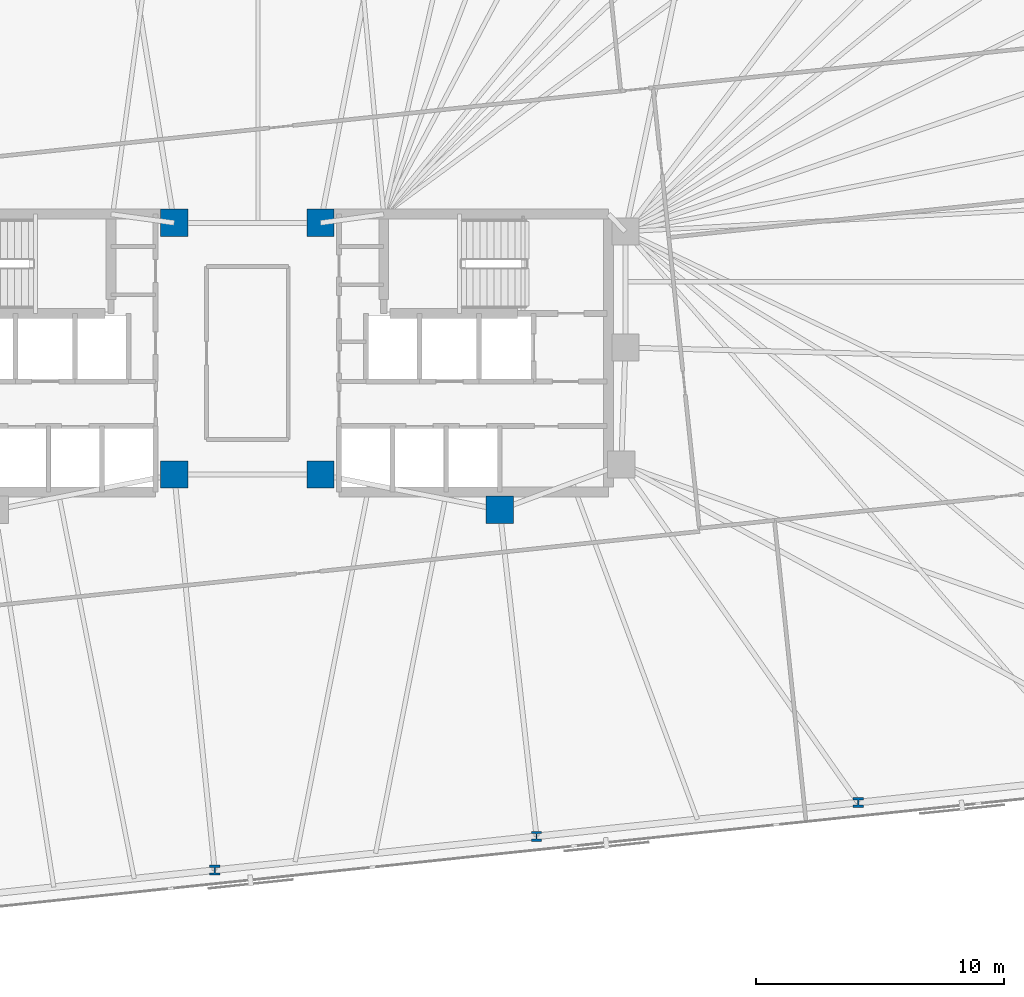
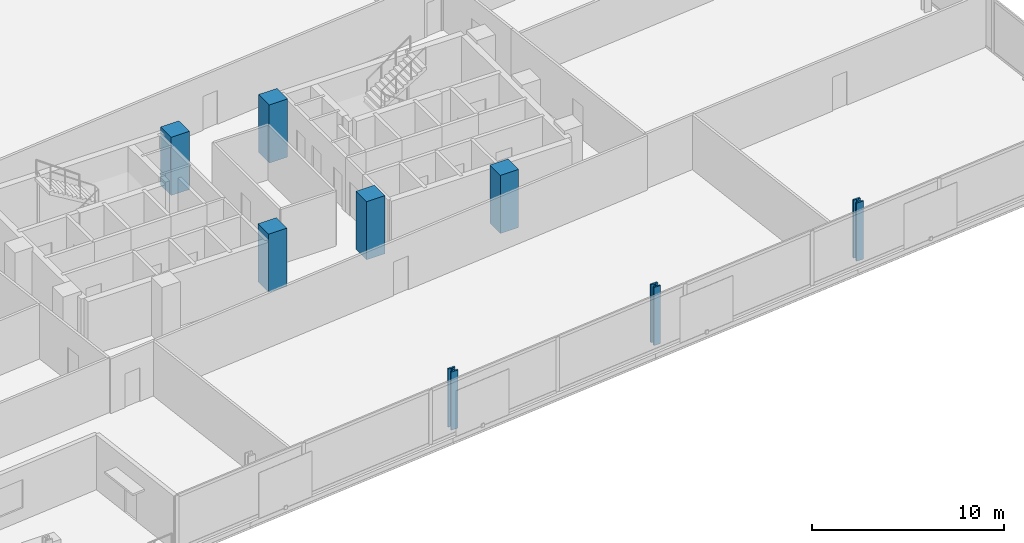
# One storey, part 3 of 18: 8 columns.
"""IFC4 building model written with IfcOpenShell, lengths in metres."""

import ifcopenshell
import ifcopenshell.guid

model = None  # the IFC model being written
_history = None  # IfcOwnerHistory: only IFC2X3 demands one
_inside = {}  # id of a spatial element -> (the spatial element, [elements in it])
_under = {}  # id of a project, library or spatial element -> (it, [spatial elements below it])
_declared = {}  # id of a project -> (the project, [libraries it declares])
_typed = {}  # id of a type object -> (the type object, [elements of that type])
_made_of = {}  # id of a material, layer set ... -> (it, [elements and type objects made of it])


def new_model(schema):
    """Start an empty IFC model of exactly this schema.

    Asked for "IFC4X3", IfcOpenShell would pick the latest addendum, in which some entities
    have other attributes; the version numbers below select the first issue.
    IFC2X3 requires an IfcOwnerHistory on every rooted entity: one is made here for all.
    """
    global model, _history
    if schema == "IFC4X3":
        model = ifcopenshell.file(schema_version=(4, 3, 0, 0))
    else:
        model = ifcopenshell.file(schema=schema)
    _inside.clear()
    _under.clear()
    _declared.clear()
    _typed.clear()
    _made_of.clear()
    _history = None
    if model.schema == "IFC2X3":
        org = make("IfcOrganization", Name="unknown")
        user = make(
            "IfcPersonAndOrganization",
            ThePerson=make("IfcPerson", FamilyName="unknown"),
            TheOrganization=org,
        )
        app = make(
            "IfcApplication",
            ApplicationDeveloper=org,
            Version="unknown",
            ApplicationFullName="unknown",
            ApplicationIdentifier="unknown",
        )
        _history = make(
            "IfcOwnerHistory",
            OwningUser=user,
            OwningApplication=app,
            ChangeAction="ADDED",
            CreationDate=0,
        )
    return model


def make(cls, **values):
    """One entity of the class cls with the attributes given. An attribute that is None is left unset."""
    return model.create_entity(
        cls, **{name: value for name, value in values.items() if value is not None}
    )


def rooted(cls, **values):
    """An entity with a GlobalId (a new one), such as an element, a storey or a relation."""
    return make(cls, GlobalId=ifcopenshell.guid.new(), OwnerHistory=_history, **values)


def si_unit(unit_type, name, prefix=None):
    """IfcSIUnit, for example si_unit("LENGTHUNIT", "METRE", prefix="MILLI")."""
    return make("IfcSIUnit", UnitType=unit_type, Prefix=prefix, Name=name)


def assignment(units):
    """IfcUnitAssignment: the units of a project."""
    return None if units is None else make("IfcUnitAssignment", Units=units)


def point(xyz):
    """IfcCartesianPoint."""
    return None if xyz is None else make("IfcCartesianPoint", Coordinates=xyz)


def direction(xyz):
    """IfcDirection."""
    return None if xyz is None else make("IfcDirection", DirectionRatios=xyz)


def frame(location, z_axis=None, x_axis=None):
    """IfcAxis2Placement3D, a coordinate frame: its origin and axes. An axis left out is left unset."""
    return make(
        "IfcAxis2Placement3D",
        Location=point(location),
        Axis=direction(z_axis),
        RefDirection=direction(x_axis),
    )


def frame_2d(location, x_axis=None):
    """IfcAxis2Placement2D, a coordinate frame in the plane: its origin and x axis."""
    return make(
        "IfcAxis2Placement2D", Location=point(location), RefDirection=direction(x_axis)
    )


def origin():
    """The frame at (0, 0, 0) with its axes left unset."""
    return frame((0.0, 0.0, 0.0))


def origin_2d():
    """The frame at (0, 0) in the plane with its x axis left unset."""
    return frame_2d((0.0, 0.0))


def place(relative_to, where):
    """IfcLocalPlacement: puts the frame where relative to a parent placement (None: the world)."""
    return make(
        "IfcLocalPlacement", PlacementRelTo=relative_to, RelativePlacement=where
    )


def context(
    kind, dimensions, precision=None, world=None, true_north=None, identifier=None
):
    """IfcGeometricRepresentationContext, for example the 3D "Model" context."""
    return make(
        "IfcGeometricRepresentationContext",
        ContextIdentifier=identifier,
        ContextType=kind,
        CoordinateSpaceDimension=dimensions,
        Precision=precision,
        WorldCoordinateSystem=world,
        TrueNorth=true_north,
    )


def subcontext(parent, identifier, kind, view, scale=None):
    """IfcGeometricRepresentationSubContext, for example "Body" below "Model"."""
    return make(
        "IfcGeometricRepresentationSubContext",
        ContextIdentifier=identifier,
        ContextType=kind,
        ParentContext=parent,
        TargetScale=scale,
        TargetView=view,
    )


def project(units=None, contexts=None):
    """IfcProject with its units and contexts."""
    return rooted(
        "IfcProject",
        Name="project",
        RepresentationContexts=contexts,
        UnitsInContext=assignment(units),
    )


def spatial(cls, under=None, at=None, **own):
    """A site, building, storey or space (cls), placed at a placement, below another one or the project."""
    s = rooted(cls, ObjectPlacement=at, **own)
    if under is not None:
        _under.setdefault(under.id(), (under, []))[1].append(s)
    return s


def profile(cls, at=None, kind="AREA", **sizes):
    """A parametric profile (cls). Its sizes go by their IFC names, for example OverallWidth=200.0."""
    return make(cls, ProfileType=kind, Position=at, **sizes)


def rectangle(**sizes):
    """IfcRectangleProfileDef."""
    return profile("IfcRectangleProfileDef", **sizes)


def i_section(**sizes):
    """IfcIShapeProfileDef."""
    return profile("IfcIShapeProfileDef", **sizes)


def extrude(swept, where, along, depth):
    """IfcExtrudedAreaSolid: the profile swept, set in the frame where, extruded along a direction by depth."""
    return make(
        "IfcExtrudedAreaSolid",
        SweptArea=swept,
        Position=where,
        ExtrudedDirection=direction(along),
        Depth=depth,
    )


def shape(context_of_items, identifier, shape_type, items):
    """IfcShapeRepresentation: the items that make up one representation, for example the "Body"."""
    return make(
        "IfcShapeRepresentation",
        ContextOfItems=context_of_items,
        RepresentationIdentifier=identifier,
        RepresentationType=shape_type,
        Items=items,
    )


def material(Name=None, Category=None):
    """IfcMaterial."""
    return make("IfcMaterial", Name=Name, Category=Category)


def material_profile(
    of_material, cross_section, Name=None, Category=None, Priority=None
):
    """IfcMaterialProfile: a cross section and its material."""
    return make(
        "IfcMaterialProfile",
        Name=Name,
        Material=of_material,
        Profile=cross_section,
        Priority=Priority,
        Category=Category,
    )


def profile_set(profiles, Name=None, composite=None):
    """IfcMaterialProfileSet."""
    return make(
        "IfcMaterialProfileSet",
        Name=Name,
        MaterialProfiles=profiles,
        CompositeProfile=composite,
    )


def made_of(thing, what):
    """Note that an element or type object is made of a material, layer set ...; save() writes the relation."""
    if what is not None:
        _made_of.setdefault(what.id(), (what, []))[1].append(thing)
    return thing


def type_object(cls, material=None, **own):
    """A type object (cls), such as IfcWallType, which elements share."""
    return made_of(rooted(cls, **own), material)


def element(
    cls,
    number,
    at=None,
    inside=None,
    cuts=None,
    type_object=None,
    material=None,
    context=None,
    identifier="Body",
    shape_type=None,
    held_by="IfcProductDefinitionShape",
    body=None,
    shapes=None,
    **own,
):
    """One element of the class cls, such as IfcWall. Its Tag is "e" and its number.

    at: its placement. inside: the storey or other place that contains it. cuts: it is an
    opening in that element (IfcRelVoidsElement). A single representation is given by context,
    identifier, shape_type and body (its items); several are given by shapes. held_by: the class
    of the entity that holds the representations. save() writes the other relations.
    """
    e = rooted(cls, Tag="e%d" % number, ObjectPlacement=at, **own)
    if body is not None:
        shapes = [shape(context, identifier, shape_type, body)]
    if shapes is not None:
        e.Representation = make(held_by, Representations=shapes)
    if inside is not None:
        _inside.setdefault(inside.id(), (inside, []))[1].append(e)
    if cuts is not None:
        rooted(
            "IfcRelVoidsElement", RelatingBuildingElement=cuts, RelatedOpeningElement=e
        )
    if type_object is not None:
        _typed.setdefault(type_object.id(), (type_object, []))[1].append(e)
    return made_of(e, material)


def aggregate(whole, parts):
    """IfcRelAggregates: a whole, such as a stair, and the parts it consists of."""
    return rooted("IfcRelAggregates", RelatingObject=whole, RelatedObjects=parts)


def save(model, path):
    """Write the relations noted so far, then the file.

    IfcRelAggregates (storeys below a building ...), IfcRelContainedInSpatialStructure (elements
    in a storey), IfcRelDefinesByType, IfcRelAssociatesMaterial and IfcRelDeclares: one each for
    every whole, place, type object, material and project.
    """
    for whole, parts in _under.values():
        aggregate(whole, parts)
    for where, things in _inside.values():
        rooted(
            "IfcRelContainedInSpatialStructure",
            RelatedElements=things,
            RelatingStructure=where,
        )
    for kind, things in _typed.values():
        rooted("IfcRelDefinesByType", RelatedObjects=things, RelatingType=kind)
    for what, things in _made_of.values():
        rooted("IfcRelAssociatesMaterial", RelatedObjects=things, RelatingMaterial=what)
    for by, libraries in _declared.values():
        rooted("IfcRelDeclares", RelatingContext=by, RelatedDefinitions=libraries)
    model.write(path)


model = new_model("IFC4")

# Units and contexts
model_context = context("Model", 3, precision=1e-05, world=origin(), true_north=direction((0.0, 1.0)))
body_context = subcontext(model_context, "Body", "Model", "MODEL_VIEW")
ifc_project = project(units=[si_unit("LENGTHUNIT", "METRE"), si_unit("AREAUNIT", "SQUARE_METRE"), si_unit("VOLUMEUNIT", "CUBIC_METRE"), si_unit("PLANEANGLEUNIT", "RADIAN"), si_unit("MASSUNIT", "GRAM", prefix="KILO")], contexts=[model_context])

# Site, building, storey
site_placement = place(None, origin())
site = spatial("IfcSite", under=ifc_project, at=site_placement, CompositionType="ELEMENT")
building_placement = place(site_placement, origin())
building = spatial("IfcBuilding", under=site, at=building_placement, Name="Menara Jurai Vektor", CompositionType="ELEMENT")
storey_placement = place(building_placement, frame((0.0, 0.0, 113.300048828125)))
storey = spatial("IfcBuildingStorey", under=building, at=storey_placement, Name="L28", CompositionType="ELEMENT", Elevation=113.300048828125)

# Columns
ifc_material_1 = material(Name="Concrete C50/60", Category="concrete")
ifc_material_profile_1 = material_profile(ifc_material_1, rectangle(XDim=1.10009765625, YDim=1.10009765625, at=origin_2d()), Name="RC 1100x1100")
ifc_profile_set_1 = profile_set([ifc_material_profile_1], Name="Concrete C50/60")
column_type_1 = type_object("IfcColumnType", Name="STR-COL-RC1100", PredefinedType="COLUMN", material=ifc_profile_set_1)
for number, where, z_axis, x_axis, name in (
    (1, (-2.949951171875, -4.89990234375, 0.0), (0.0, 0.0, 1.0), (1.0, 0.0, 0.0), "Core Spine Column CW-SE L28"),
    (2, (-2.949951171875, 5.25, 0.0), (0.0, 0.0, 1.0), (1.0, 0.0, 0.0), "Core Spine Column CW-NE L28"),
    (3, (10.179931640625, -6.320068359375, 0.0), (0.0, 0.0, 1.0), (1.0, 0.0, 0.0), "Core Spine Column CE-SM L28"),
    (4, (2.949951171875, -4.89990234375, 0.0), (0.0, 0.0, 1.0), (1.0, 0.0, 0.0), "Core Spine Column CE-SW L28"),
    (5, (2.949951171875, 5.25, 0.0), (0.0, 0.0, 1.0), (1.0, 0.0, 0.0), "Core Spine Column CE-NW L28"),
):
    element("IfcColumn", number, at=place(storey_placement, frame(where, z_axis=z_axis, x_axis=x_axis)), inside=storey, type_object=column_type_1, Name=name, PredefinedType="COLUMN", context=body_context, shape_type="SweptSolid", body=[
        extrude(rectangle(XDim=1.10009765625, YDim=1.10009765625, at=origin_2d()), origin(), (0.0, 0.0, 1.0), 3.699951171875),
    ])
ifc_material_2 = material(Name="Steel S460", Category="steel")
ifc_material_profile_2 = material_profile(ifc_material_2, i_section(OverallWidth=0.4130859375, OverallDepth=0.39794921875, WebThickness=0.055908203125, FlangeThickness=0.089111328125, FilletRadius=0.014892578125, at=origin_2d()), Name="HD 400x744")
ifc_profile_set_2 = profile_set([ifc_material_profile_2], Name="Steel S460")
column_type_2 = type_object("IfcColumnType", Name="STR-EXO-BLK2", PredefinedType="COLUMN", material=ifc_profile_set_2)
for number, where, z_axis, x_axis, name in (
    (6, (-1.317138671875, -20.857666015625, 0.0), (0.0, 0.0, 1.0), (1.0, 0.0, 0.0), "Exoskeleton Column BLK2-S3 L28"),
    (7, (11.66259765625, -19.49365234375, 0.0), (0.0, 0.0, 1.0), (1.0, 0.0, 0.0), "Exoskeleton Column BLK2-S4 L28"),
    (8, (24.642333984375, -18.12939453125, 0.0), (0.0, 0.0, 1.0), (1.0, 0.0, 0.0), "Exoskeleton Column BLK2-S5 L28"),
):
    element("IfcColumn", number, at=place(storey_placement, frame(where, z_axis=z_axis, x_axis=x_axis)), inside=storey, type_object=column_type_2, Name=name, PredefinedType="COLUMN", context=body_context, shape_type="SweptSolid", body=[
        extrude(i_section(OverallWidth=0.4130859375, OverallDepth=0.39794921875, WebThickness=0.055908203125, FlangeThickness=0.089111328125, FilletRadius=0.014892578125, at=origin_2d()), origin(), (0.0, 0.0, 1.0), 3.699951171875),
    ])

save(model, "model.ifc")
